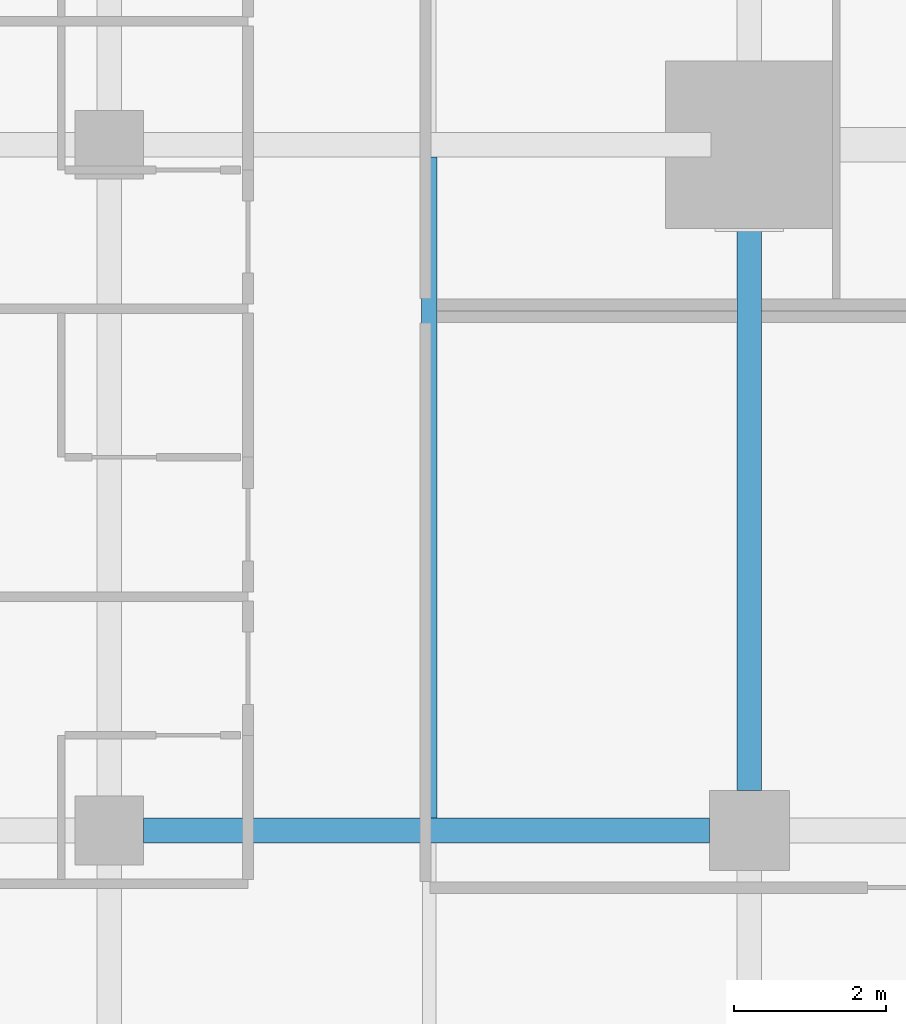
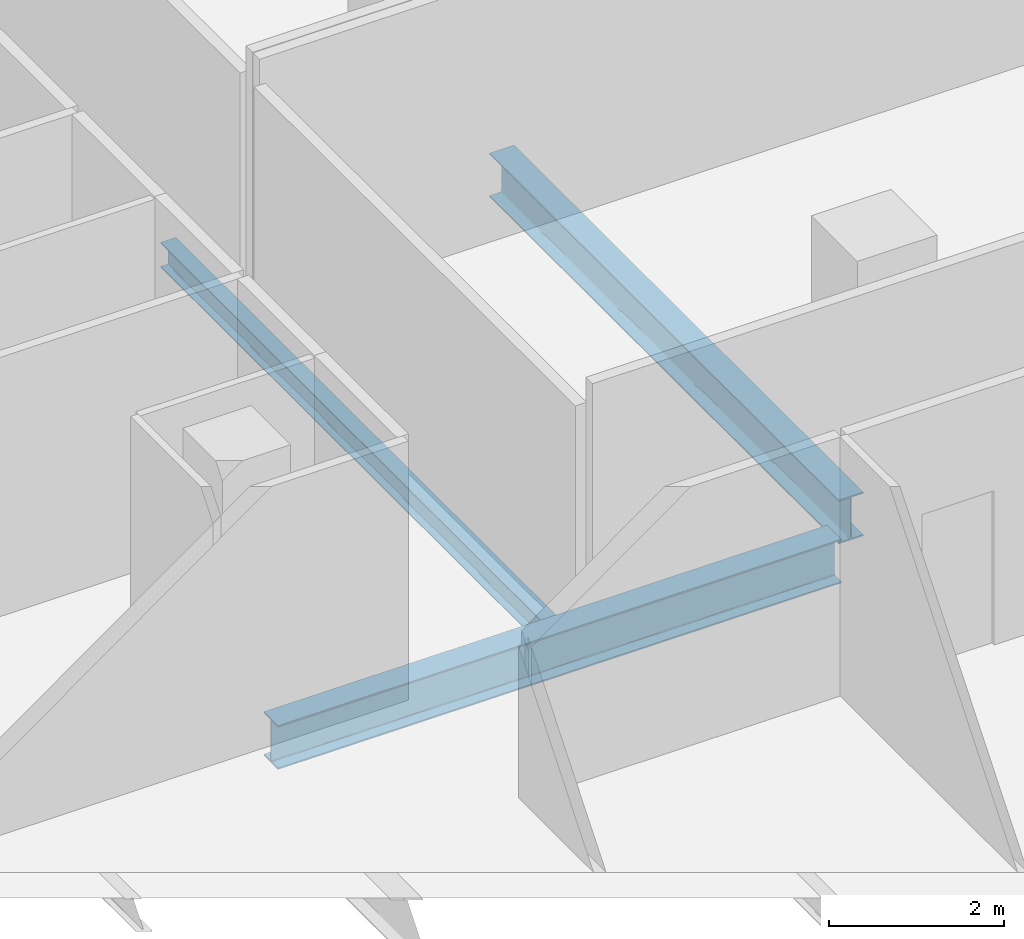
# One storey, part 11 of 40: 3 beams.
"""IFC4 building model written with IfcOpenShell, lengths in metres."""

from ifc_helpers import new_model, si_unit, direction, frame, origin, origin_2d, place, context, subcontext, project, spatial, i_section, extrude, material, material_profile, profile_set, type_object, element, save


model = new_model("IFC4")

# Units and contexts
model_context = context("Model", 3, precision=1e-05, world=origin(), true_north=direction((0.0, 1.0)))
body_context = subcontext(model_context, "Body", "Model", "MODEL_VIEW")
ifc_project = project(units=[si_unit("LENGTHUNIT", "METRE"), si_unit("AREAUNIT", "SQUARE_METRE"), si_unit("VOLUMEUNIT", "CUBIC_METRE"), si_unit("PLANEANGLEUNIT", "RADIAN"), si_unit("MASSUNIT", "GRAM", prefix="KILO")], contexts=[model_context])

# Site, building, storey
site_placement = place(None, origin())
site = spatial("IfcSite", under=ifc_project, at=site_placement, CompositionType="ELEMENT")
building_placement = place(site_placement, origin())
building = spatial("IfcBuilding", under=site, at=building_placement, Name="Maruvema Waterfront Hotel and Observation Tower", CompositionType="ELEMENT")
storey_placement = place(building_placement, frame((0.0, 0.0, 100.10009765625)))
storey = spatial("IfcBuildingStorey", under=building, at=storey_placement, Name="L24", CompositionType="ELEMENT", Elevation=100.10009765625)

# Beams
ifc_material_1 = material(Name="Steel ASTM A572 Grade 50", Category="steel")
ifc_material_profile_1 = material_profile(ifc_material_1, i_section(OverallWidth=0.323974609375, OverallDepth=0.611083984375, WebThickness=0.0126953125, FlangeThickness=0.01904296875, FilletRadius=0.01806640625, at=origin_2d()), Name="W610x155.0")
ifc_profile_set_1 = profile_set([ifc_material_profile_1], Name="Steel ASTM A572 Grade 50")
beam_type_1 = type_object("IfcBeamType", Name="Primary Floor Girder W610x155.0", PredefinedType="BEAM", material=ifc_profile_set_1)
beam_1_placement = place(storey_placement, frame((17.25, 18.0, -0.545654296875), z_axis=(1.0, 0.0, 0.0), x_axis=(0.0, 1.0, 0.0)))
element("IfcBeam", 1, at=beam_1_placement, inside=storey, type_object=beam_type_1, Name="L24 Floor Girder EW-14", PredefinedType="BEAM", context=body_context, shape_type="SweptSolid", body=[
    extrude(i_section(OverallWidth=0.323974609375, OverallDepth=0.611083984375, WebThickness=0.0126953125, FlangeThickness=0.01904296875, FilletRadius=0.01806640625, at=origin_2d()), origin(), (0.0, 0.0, 1.0), 7.425048828125),
])
beam_2_placement = place(storey_placement, frame((25.199951171875, 18.52490234375, -0.545654296875), z_axis=(0.0, 1.0, 0.0), x_axis=(-1.0, 0.0, 0.0)))
element("IfcBeam", 2, at=beam_2_placement, inside=storey, type_object=beam_type_1, Name="L24 Floor Girder NS-13", PredefinedType="BEAM", context=body_context, shape_type="SweptSolid", body=[
    extrude(i_section(OverallWidth=0.323974609375, OverallDepth=0.611083984375, WebThickness=0.0126953125, FlangeThickness=0.01904296875, FilletRadius=0.01806640625, at=origin_2d()), origin(), (0.0, 0.0, 1.0), 7.97509765625),
])
ifc_material_2 = material(Name="Steel ASTM A572 Grade 50", Category="steel")
ifc_material_profile_2 = material_profile(ifc_material_2, i_section(OverallWidth=0.202880859375, OverallDepth=0.346923828125, WebThickness=0.0078125, FlangeThickness=0.013427734375, FilletRadius=0.014892578125, at=origin_2d()), Name="W360x64.0")
ifc_profile_set_2 = profile_set([ifc_material_profile_2], Name="Steel ASTM A572 Grade 50")
beam_type_2 = type_object("IfcBeamType", Name="Secondary Floor Joist W360x64.0", PredefinedType="JOIST", material=ifc_profile_set_2)
beam_3_placement = place(storey_placement, frame((21.0, 18.162109375, -0.41357421875), z_axis=(0.0, 1.0, 0.0), x_axis=(-1.0, 0.0, 0.0)))
element("IfcBeam", 3, at=beam_3_placement, inside=storey, type_object=beam_type_2, Name="L24 Secondary Floor Joist JS-07", PredefinedType="JOIST", context=body_context, shape_type="SweptSolid", body=[
    extrude(i_section(OverallWidth=0.202880859375, OverallDepth=0.346923828125, WebThickness=0.0078125, FlangeThickness=0.013427734375, FilletRadius=0.014892578125, at=origin_2d()), origin(), (0.0, 0.0, 1.0), 8.67578125),
])

save(model, "model.ifc")
